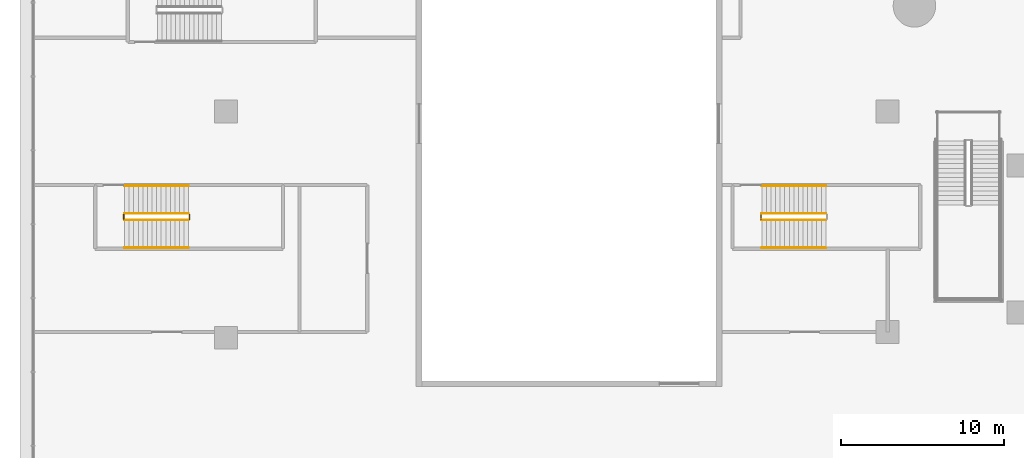
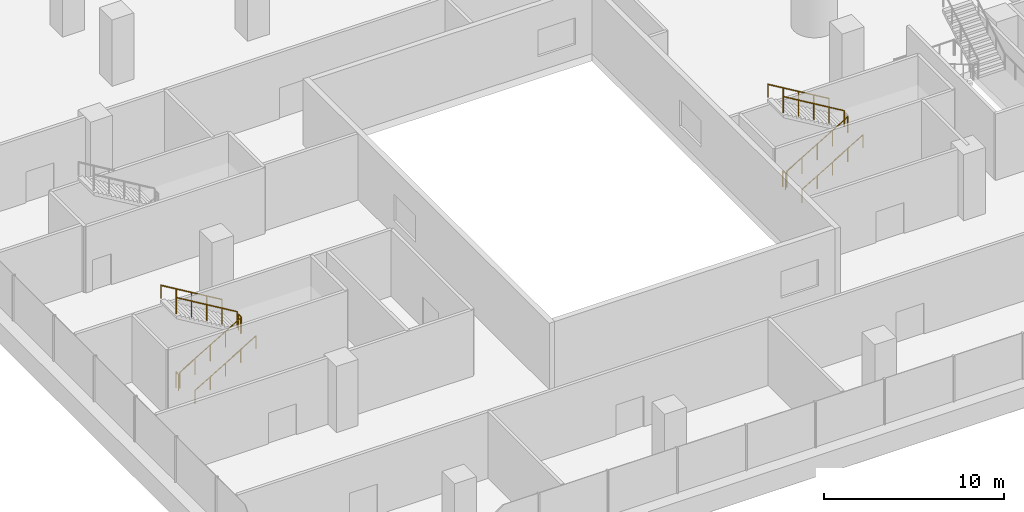
# One storey, part 34 of 44: 11 railings.
"""IFC4 building model written with IfcOpenShell, lengths in metres."""

from ifc_helpers import new_model, si_unit, direction, frame, origin, origin_2d, place, context, subcontext, project, spatial, circle, extrude, material, type_object, element, save


model = new_model("IFC4")

# Units and contexts
model_context = context("Model", 3, precision=1e-05, world=origin(), true_north=direction((0.0, 1.0)))
body_context = subcontext(model_context, "Body", "Model", "MODEL_VIEW")
ifc_project = project(units=[si_unit("LENGTHUNIT", "METRE"), si_unit("AREAUNIT", "SQUARE_METRE"), si_unit("VOLUMEUNIT", "CUBIC_METRE"), si_unit("PLANEANGLEUNIT", "RADIAN"), si_unit("MASSUNIT", "GRAM", prefix="KILO")], contexts=[model_context])

# Site, building, storey
site_placement = place(None, origin())
site = spatial("IfcSite", under=ifc_project, at=site_placement, CompositionType="ELEMENT")
building_placement = place(site_placement, origin())
building = spatial("IfcBuilding", under=site, at=building_placement, Name="Tamarind Cross Interchange Tower", CompositionType="ELEMENT")
storey_placement = place(building_placement, frame((0.0, 0.0, 15.0)))
storey = spatial("IfcBuildingStorey", under=building, at=storey_placement, Name="L02", CompositionType="ELEMENT", Elevation=15.0)

# Railings
ifc_material_1 = material(Name="Public stair guard")
railing_type_1 = type_object("IfcRailingType", Name="Public stair guard", PredefinedType="GUARDRAIL", material=ifc_material_1)
railing_1_placement = place(storey_placement, frame((-60.199951171875, -33.64990234375, 0.166748046875)))
element("IfcRailing", 1, at=railing_1_placement, inside=storey, type_object=railing_type_1, Name="L02 XS-P07 stair guard 1", PredefinedType="GUARDRAIL", context=body_context, shape_type="SweptSolid", body=[
    extrude(circle(Radius=0.02392578125, at=origin_2d()), frame((0.0, 0.0, 1.076171875), z_axis=(0.859296244711, 0.0, 0.511478214419), x_axis=(0.0, 1.0, 0.0)), (0.0, 0.0, 1.0), 4.561767578125),
    extrude(circle(Radius=0.02099609375, at=origin_2d()), origin(), (0.0, 0.0, 1.0), 1.052001953125),
    extrude(circle(Radius=0.02099609375, at=origin_2d()), frame((0.97998046875, 0.0, 0.583251953125)), (0.0, 0.0, 1.0), 1.052001953125),
    extrude(circle(Radius=0.02099609375, at=origin_2d()), frame((1.9599609375, 0.0, 1.16650390625)), (0.0, 0.0, 1.0), 1.052001953125),
    extrude(circle(Radius=0.02099609375, at=origin_2d()), frame((2.93994140625, 0.0, 1.75)), (0.0, 0.0, 1.0), 1.052001953125),
    extrude(circle(Radius=0.02099609375, at=origin_2d()), frame((3.919921875, 0.0, 2.333251953125)), (0.0, 0.0, 1.0), 1.052001953125),
])
railing_2_placement = place(storey_placement, frame((-56.22998046875, -33.60009765625, 2.5)))
element("IfcRailing", 2, at=railing_2_placement, inside=storey, type_object=railing_type_1, Name="L02 XS-P07 stair guard 2", PredefinedType="GUARDRAIL", context=body_context, shape_type="SweptSolid", body=[
    extrude(circle(Radius=0.02392578125, at=origin_2d()), frame((0.0, 0.0, 1.076171875), z_axis=(0.0, 1.0, 0.0), x_axis=(-1.0, 0.0, 0.0)), (0.0, 0.0, 1.0), 0.300048828125),
    extrude(circle(Radius=0.02099609375, at=origin_2d()), origin(), (0.0, 0.0, 1.0), 1.052001953125),
    extrude(circle(Radius=0.02099609375, at=origin_2d()), frame((0.0, 0.300048828125, 0.0)), (0.0, 0.0, 1.0), 1.052001953125),
])
railing_3_placement = place(storey_placement, frame((-56.280029296875, -33.25, 2.666748046875)))
element("IfcRailing", 3, at=railing_3_placement, inside=storey, type_object=railing_type_1, Name="L02 XS-P07 stair guard 3", PredefinedType="GUARDRAIL", context=body_context, shape_type="SweptSolid", body=[
    extrude(circle(Radius=0.02392578125, at=origin_2d()), frame((0.0, 0.0, 1.076171875), z_axis=(-0.859296244711, 0.0, 0.511478214419), x_axis=(0.0, -1.0, 0.0)), (0.0, 0.0, 1.0), 4.561767578125),
    extrude(circle(Radius=0.02099609375, at=origin_2d()), origin(), (0.0, 0.0, 1.0), 1.052001953125),
    extrude(circle(Radius=0.02099609375, at=origin_2d()), frame((-0.97998046875, 0.0, 0.583251953125)), (0.0, 0.0, 1.0), 1.052001953125),
    extrude(circle(Radius=0.02099609375, at=origin_2d()), frame((-1.9599609375, 0.0, 1.16650390625)), (0.0, 0.0, 1.0), 1.052001953125),
    extrude(circle(Radius=0.02099609375, at=origin_2d()), frame((-2.93994140625, 0.0, 1.75)), (0.0, 0.0, 1.0), 1.052001953125),
    extrude(circle(Radius=0.02099609375, at=origin_2d()), frame((-3.919921875, 0.0, 2.333251953125)), (0.0, 0.0, 1.0), 1.052001953125),
])
railing_4_placement = place(storey_placement, frame((-60.25, -33.60009765625, 0.0)))
element("IfcRailing", 4, at=railing_4_placement, inside=storey, type_object=railing_type_1, Name="L02 XS-P07 stair guard 4", PredefinedType="GUARDRAIL", context=body_context, shape_type="SweptSolid", body=[
    extrude(circle(Radius=0.02392578125, at=origin_2d()), frame((0.0, 0.0, 1.076171875), z_axis=(0.0, 1.0, 0.0), x_axis=(-1.0, 0.0, 0.0)), (0.0, 0.0, 1.0), 0.300048828125),
    extrude(circle(Radius=0.02099609375, at=origin_2d()), origin(), (0.0, 0.0, 1.0), 1.052001953125),
    extrude(circle(Radius=0.02099609375, at=origin_2d()), frame((0.0, 0.300048828125, 0.0)), (0.0, 0.0, 1.0), 1.052001953125),
])
railing_5_placement = place(storey_placement, frame((-21.199951171875, -33.64990234375, 0.166748046875)))
element("IfcRailing", 5, at=railing_5_placement, inside=storey, type_object=railing_type_1, Name="L02 XS-P09 stair guard 1", PredefinedType="GUARDRAIL", context=body_context, shape_type="SweptSolid", body=[
    extrude(circle(Radius=0.02392578125, at=origin_2d()), frame((0.0, 0.0, 1.076171875), z_axis=(0.859296244711, 0.0, 0.511478214419), x_axis=(0.0, 1.0, 0.0)), (0.0, 0.0, 1.0), 4.561767578125),
    extrude(circle(Radius=0.02099609375, at=origin_2d()), origin(), (0.0, 0.0, 1.0), 1.052001953125),
    extrude(circle(Radius=0.02099609375, at=origin_2d()), frame((0.97998046875, 0.0, 0.583251953125)), (0.0, 0.0, 1.0), 1.052001953125),
    extrude(circle(Radius=0.02099609375, at=origin_2d()), frame((1.9599609375, 0.0, 1.16650390625)), (0.0, 0.0, 1.0), 1.052001953125),
    extrude(circle(Radius=0.02099609375, at=origin_2d()), frame((2.93994140625, 0.0, 1.75)), (0.0, 0.0, 1.0), 1.052001953125),
    extrude(circle(Radius=0.02099609375, at=origin_2d()), frame((3.919921875, 0.0, 2.333251953125)), (0.0, 0.0, 1.0), 1.052001953125),
])
railing_6_placement = place(storey_placement, frame((-17.280029296875, -33.25, 2.666748046875)))
element("IfcRailing", 6, at=railing_6_placement, inside=storey, type_object=railing_type_1, Name="L02 XS-P09 stair guard 3", PredefinedType="GUARDRAIL", context=body_context, shape_type="SweptSolid", body=[
    extrude(circle(Radius=0.02392578125, at=origin_2d()), frame((0.0, 0.0, 1.076171875), z_axis=(-0.859296244711, 0.0, 0.511478214419), x_axis=(0.0, -1.0, 0.0)), (0.0, 0.0, 1.0), 4.561767578125),
    extrude(circle(Radius=0.02099609375, at=origin_2d()), origin(), (0.0, 0.0, 1.0), 1.052001953125),
    extrude(circle(Radius=0.02099609375, at=origin_2d()), frame((-0.97998046875, 0.0, 0.583251953125)), (0.0, 0.0, 1.0), 1.052001953125),
    extrude(circle(Radius=0.02099609375, at=origin_2d()), frame((-1.9599609375, 0.0, 1.16650390625)), (0.0, 0.0, 1.0), 1.052001953125),
    extrude(circle(Radius=0.02099609375, at=origin_2d()), frame((-2.93994140625, 0.0, 1.75)), (0.0, 0.0, 1.0), 1.052001953125),
    extrude(circle(Radius=0.02099609375, at=origin_2d()), frame((-3.919921875, 0.0, 2.333251953125)), (0.0, 0.0, 1.0), 1.052001953125),
])
railing_7_placement = place(storey_placement, frame((-21.25, -33.60009765625, 0.0)))
element("IfcRailing", 7, at=railing_7_placement, inside=storey, type_object=railing_type_1, Name="L02 XS-P09 stair guard 4", PredefinedType="GUARDRAIL", context=body_context, shape_type="SweptSolid", body=[
    extrude(circle(Radius=0.02392578125, at=origin_2d()), frame((0.0, 0.0, 1.076171875), z_axis=(0.0, 1.0, 0.0), x_axis=(-1.0, 0.0, 0.0)), (0.0, 0.0, 1.0), 0.300048828125),
    extrude(circle(Radius=0.02099609375, at=origin_2d()), origin(), (0.0, 0.0, 1.0), 1.052001953125),
    extrude(circle(Radius=0.02099609375, at=origin_2d()), frame((0.0, 0.300048828125, 0.0)), (0.0, 0.0, 1.0), 1.052001953125),
])
ifc_material_2 = material(Name="Public stair handrail")
railing_type_2 = type_object("IfcRailingType", Name="Public stair handrail", PredefinedType="HANDRAIL", material=ifc_material_2)
railing_8_placement = place(storey_placement, frame((-60.199951171875, -35.35009765625, 0.166748046875)))
element("IfcRailing", 8, at=railing_8_placement, inside=storey, type_object=railing_type_2, Name="L02 XS-P07 stair handrail 1", PredefinedType="HANDRAIL", context=body_context, shape_type="SweptSolid", body=[
    extrude(circle(Radius=0.02392578125, at=origin_2d()), frame((0.0, 0.0, 0.8759765625), z_axis=(0.859296244711, 0.0, 0.511478214419), x_axis=(0.0, 1.0, 0.0)), (0.0, 0.0, 1.0), 4.561767578125),
    extrude(circle(Radius=0.02099609375, at=origin_2d()), origin(), (0.0, 0.0, 1.0), 0.851806640625),
    extrude(circle(Radius=0.02099609375, at=origin_2d()), frame((0.97998046875, 0.0, 0.583251953125)), (0.0, 0.0, 1.0), 0.851806640625),
    extrude(circle(Radius=0.02099609375, at=origin_2d()), frame((1.9599609375, 0.0, 1.16650390625)), (0.0, 0.0, 1.0), 0.851806640625),
    extrude(circle(Radius=0.02099609375, at=origin_2d()), frame((2.93994140625, 0.0, 1.75)), (0.0, 0.0, 1.0), 0.851806640625),
    extrude(circle(Radius=0.02099609375, at=origin_2d()), frame((3.919921875, 0.0, 2.333251953125)), (0.0, 0.0, 1.0), 0.851806640625),
])
railing_9_placement = place(storey_placement, frame((-56.280029296875, -31.550048828125, 2.666748046875)))
element("IfcRailing", 9, at=railing_9_placement, inside=storey, type_object=railing_type_2, Name="L02 XS-P07 stair handrail 2", PredefinedType="HANDRAIL", context=body_context, shape_type="SweptSolid", body=[
    extrude(circle(Radius=0.02392578125, at=origin_2d()), frame((0.0, 0.0, 0.8759765625), z_axis=(-0.859296244711, 0.0, 0.511478214419), x_axis=(0.0, -1.0, 0.0)), (0.0, 0.0, 1.0), 4.561767578125),
    extrude(circle(Radius=0.02099609375, at=origin_2d()), origin(), (0.0, 0.0, 1.0), 0.851806640625),
    extrude(circle(Radius=0.02099609375, at=origin_2d()), frame((-0.97998046875, 0.0, 0.583251953125)), (0.0, 0.0, 1.0), 0.851806640625),
    extrude(circle(Radius=0.02099609375, at=origin_2d()), frame((-1.9599609375, 0.0, 1.16650390625)), (0.0, 0.0, 1.0), 0.851806640625),
    extrude(circle(Radius=0.02099609375, at=origin_2d()), frame((-2.93994140625, 0.0, 1.75)), (0.0, 0.0, 1.0), 0.851806640625),
    extrude(circle(Radius=0.02099609375, at=origin_2d()), frame((-3.919921875, 0.0, 2.333251953125)), (0.0, 0.0, 1.0), 0.851806640625),
])
railing_10_placement = place(storey_placement, frame((-21.199951171875, -35.35009765625, 0.166748046875)))
element("IfcRailing", 10, at=railing_10_placement, inside=storey, type_object=railing_type_2, Name="L02 XS-P09 stair handrail 1", PredefinedType="HANDRAIL", context=body_context, shape_type="SweptSolid", body=[
    extrude(circle(Radius=0.02392578125, at=origin_2d()), frame((0.0, 0.0, 0.8759765625), z_axis=(0.859296244711, 0.0, 0.511478214419), x_axis=(0.0, 1.0, 0.0)), (0.0, 0.0, 1.0), 4.561767578125),
    extrude(circle(Radius=0.02099609375, at=origin_2d()), origin(), (0.0, 0.0, 1.0), 0.851806640625),
    extrude(circle(Radius=0.02099609375, at=origin_2d()), frame((0.97998046875, 0.0, 0.583251953125)), (0.0, 0.0, 1.0), 0.851806640625),
    extrude(circle(Radius=0.02099609375, at=origin_2d()), frame((1.9599609375, 0.0, 1.16650390625)), (0.0, 0.0, 1.0), 0.851806640625),
    extrude(circle(Radius=0.02099609375, at=origin_2d()), frame((2.93994140625, 0.0, 1.75)), (0.0, 0.0, 1.0), 0.851806640625),
    extrude(circle(Radius=0.02099609375, at=origin_2d()), frame((3.919921875, 0.0, 2.333251953125)), (0.0, 0.0, 1.0), 0.851806640625),
])
railing_11_placement = place(storey_placement, frame((-17.280029296875, -31.550048828125, 2.666748046875)))
element("IfcRailing", 11, at=railing_11_placement, inside=storey, type_object=railing_type_2, Name="L02 XS-P09 stair handrail 2", PredefinedType="HANDRAIL", context=body_context, shape_type="SweptSolid", body=[
    extrude(circle(Radius=0.02392578125, at=origin_2d()), frame((0.0, 0.0, 0.8759765625), z_axis=(-0.859296244711, 0.0, 0.511478214419), x_axis=(0.0, -1.0, 0.0)), (0.0, 0.0, 1.0), 4.561767578125),
    extrude(circle(Radius=0.02099609375, at=origin_2d()), origin(), (0.0, 0.0, 1.0), 0.851806640625),
    extrude(circle(Radius=0.02099609375, at=origin_2d()), frame((-0.97998046875, 0.0, 0.583251953125)), (0.0, 0.0, 1.0), 0.851806640625),
    extrude(circle(Radius=0.02099609375, at=origin_2d()), frame((-1.9599609375, 0.0, 1.16650390625)), (0.0, 0.0, 1.0), 0.851806640625),
    extrude(circle(Radius=0.02099609375, at=origin_2d()), frame((-2.93994140625, 0.0, 1.75)), (0.0, 0.0, 1.0), 0.851806640625),
    extrude(circle(Radius=0.02099609375, at=origin_2d()), frame((-3.919921875, 0.0, 2.333251953125)), (0.0, 0.0, 1.0), 0.851806640625),
])

save(model, "model.ifc")
